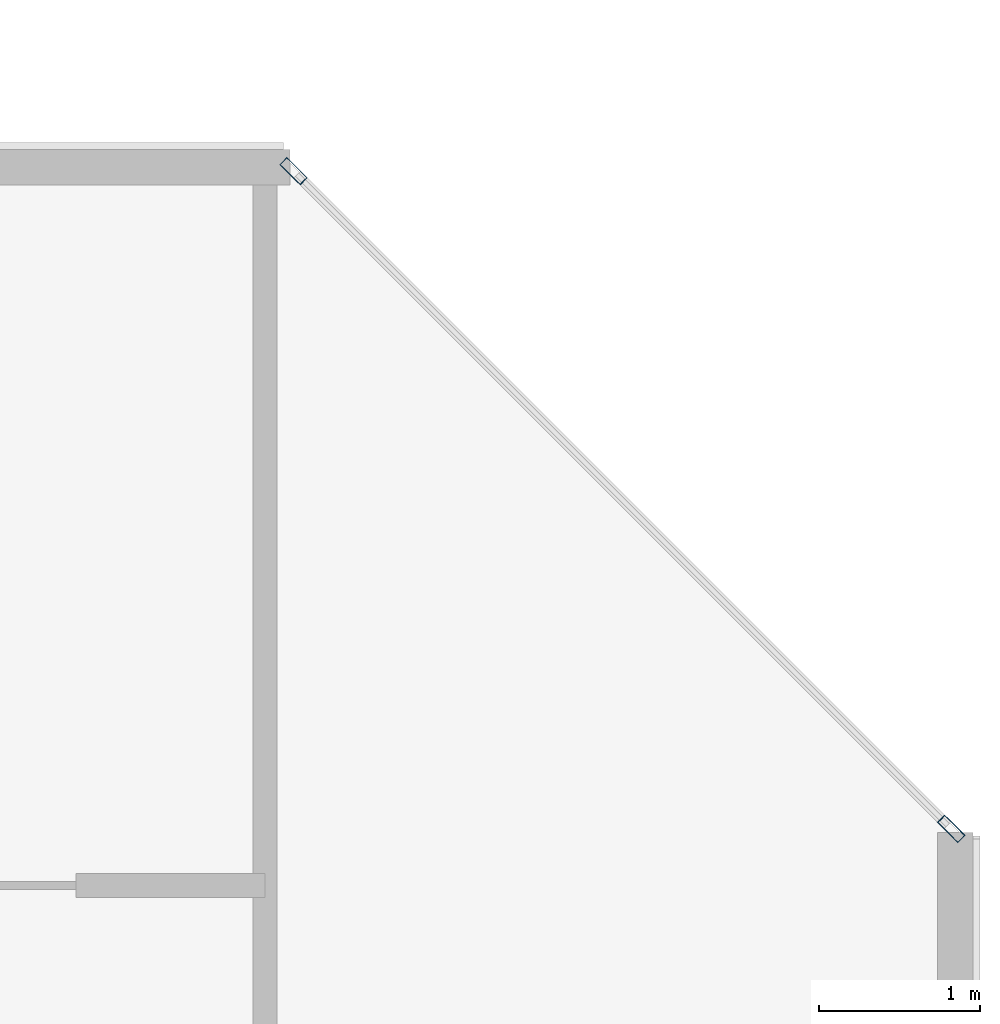
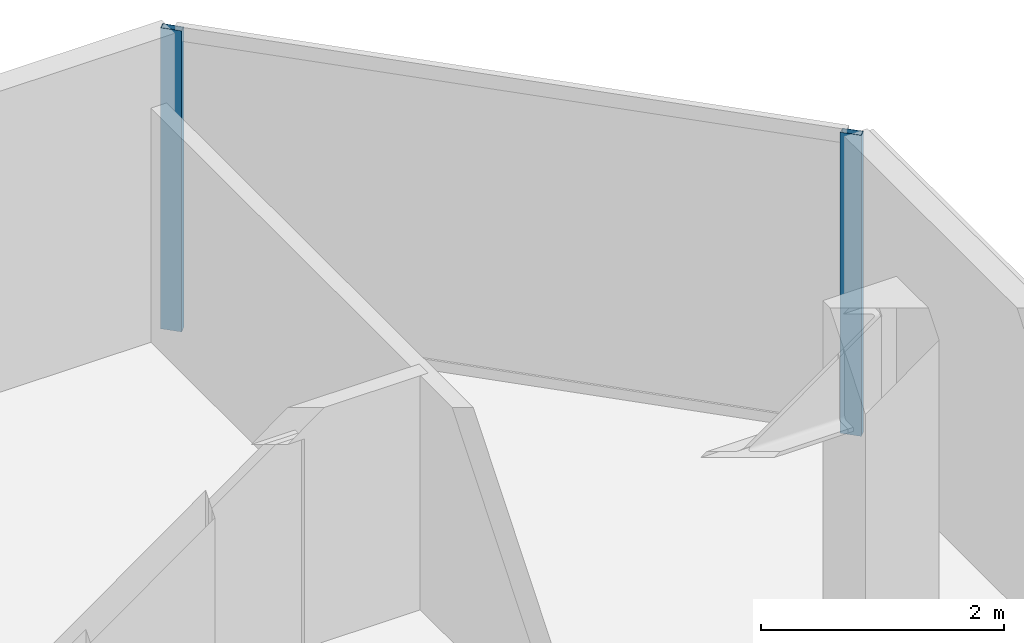
# One storey, part 12 of 24: 2 members, 1 element without a shape of its own.
"""IFC4 building model written with IfcOpenShell, lengths in metres."""

import ifcopenshell
import ifcopenshell.guid

model = None  # the IFC model being written
_history = None  # IfcOwnerHistory: only IFC2X3 demands one
_inside = {}  # id of a spatial element -> (the spatial element, [elements in it])
_under = {}  # id of a project, library or spatial element -> (it, [spatial elements below it])
_declared = {}  # id of a project -> (the project, [libraries it declares])
_typed = {}  # id of a type object -> (the type object, [elements of that type])
_made_of = {}  # id of a material, layer set ... -> (it, [elements and type objects made of it])


def new_model(schema):
    """Start an empty IFC model of exactly this schema.

    Asked for "IFC4X3", IfcOpenShell would pick the latest addendum, in which some entities
    have other attributes; the version numbers below select the first issue.
    IFC2X3 requires an IfcOwnerHistory on every rooted entity: one is made here for all.
    """
    global model, _history
    if schema == "IFC4X3":
        model = ifcopenshell.file(schema_version=(4, 3, 0, 0))
    else:
        model = ifcopenshell.file(schema=schema)
    _inside.clear()
    _under.clear()
    _declared.clear()
    _typed.clear()
    _made_of.clear()
    _history = None
    if model.schema == "IFC2X3":
        org = make("IfcOrganization", Name="unknown")
        user = make(
            "IfcPersonAndOrganization",
            ThePerson=make("IfcPerson", FamilyName="unknown"),
            TheOrganization=org,
        )
        app = make(
            "IfcApplication",
            ApplicationDeveloper=org,
            Version="unknown",
            ApplicationFullName="unknown",
            ApplicationIdentifier="unknown",
        )
        _history = make(
            "IfcOwnerHistory",
            OwningUser=user,
            OwningApplication=app,
            ChangeAction="ADDED",
            CreationDate=0,
        )
    return model


def make(cls, **values):
    """One entity of the class cls with the attributes given. An attribute that is None is left unset."""
    return model.create_entity(
        cls, **{name: value for name, value in values.items() if value is not None}
    )


def rooted(cls, **values):
    """An entity with a GlobalId (a new one), such as an element, a storey or a relation."""
    return make(cls, GlobalId=ifcopenshell.guid.new(), OwnerHistory=_history, **values)


def si_unit(unit_type, name, prefix=None):
    """IfcSIUnit, for example si_unit("LENGTHUNIT", "METRE", prefix="MILLI")."""
    return make("IfcSIUnit", UnitType=unit_type, Prefix=prefix, Name=name)


def assignment(units):
    """IfcUnitAssignment: the units of a project."""
    return None if units is None else make("IfcUnitAssignment", Units=units)


def point(xyz):
    """IfcCartesianPoint."""
    return None if xyz is None else make("IfcCartesianPoint", Coordinates=xyz)


def direction(xyz):
    """IfcDirection."""
    return None if xyz is None else make("IfcDirection", DirectionRatios=xyz)


def frame(location, z_axis=None, x_axis=None):
    """IfcAxis2Placement3D, a coordinate frame: its origin and axes. An axis left out is left unset."""
    return make(
        "IfcAxis2Placement3D",
        Location=point(location),
        Axis=direction(z_axis),
        RefDirection=direction(x_axis),
    )


def frame_2d(location, x_axis=None):
    """IfcAxis2Placement2D, a coordinate frame in the plane: its origin and x axis."""
    return make(
        "IfcAxis2Placement2D", Location=point(location), RefDirection=direction(x_axis)
    )


def origin():
    """The frame at (0, 0, 0) with its axes left unset."""
    return frame((0.0, 0.0, 0.0))


def origin_2d():
    """The frame at (0, 0) in the plane with its x axis left unset."""
    return frame_2d((0.0, 0.0))


def place(relative_to, where):
    """IfcLocalPlacement: puts the frame where relative to a parent placement (None: the world)."""
    return make(
        "IfcLocalPlacement", PlacementRelTo=relative_to, RelativePlacement=where
    )


def context(
    kind, dimensions, precision=None, world=None, true_north=None, identifier=None
):
    """IfcGeometricRepresentationContext, for example the 3D "Model" context."""
    return make(
        "IfcGeometricRepresentationContext",
        ContextIdentifier=identifier,
        ContextType=kind,
        CoordinateSpaceDimension=dimensions,
        Precision=precision,
        WorldCoordinateSystem=world,
        TrueNorth=true_north,
    )


def subcontext(parent, identifier, kind, view, scale=None):
    """IfcGeometricRepresentationSubContext, for example "Body" below "Model"."""
    return make(
        "IfcGeometricRepresentationSubContext",
        ContextIdentifier=identifier,
        ContextType=kind,
        ParentContext=parent,
        TargetScale=scale,
        TargetView=view,
    )


def project(units=None, contexts=None):
    """IfcProject with its units and contexts."""
    return rooted(
        "IfcProject",
        Name="project",
        RepresentationContexts=contexts,
        UnitsInContext=assignment(units),
    )


def spatial(cls, under=None, at=None, **own):
    """A site, building, storey or space (cls), placed at a placement, below another one or the project."""
    s = rooted(cls, ObjectPlacement=at, **own)
    if under is not None:
        _under.setdefault(under.id(), (under, []))[1].append(s)
    return s


def profile(cls, at=None, kind="AREA", **sizes):
    """A parametric profile (cls). Its sizes go by their IFC names, for example OverallWidth=200.0."""
    return make(cls, ProfileType=kind, Position=at, **sizes)


def hollow_rectangle(**sizes):
    """IfcRectangleHollowProfileDef."""
    return profile("IfcRectangleHollowProfileDef", **sizes)


def extrude(swept, where, along, depth):
    """IfcExtrudedAreaSolid: the profile swept, set in the frame where, extruded along a direction by depth."""
    return make(
        "IfcExtrudedAreaSolid",
        SweptArea=swept,
        Position=where,
        ExtrudedDirection=direction(along),
        Depth=depth,
    )


def shape(context_of_items, identifier, shape_type, items):
    """IfcShapeRepresentation: the items that make up one representation, for example the "Body"."""
    return make(
        "IfcShapeRepresentation",
        ContextOfItems=context_of_items,
        RepresentationIdentifier=identifier,
        RepresentationType=shape_type,
        Items=items,
    )


def material(Name=None, Category=None):
    """IfcMaterial."""
    return make("IfcMaterial", Name=Name, Category=Category)


def layer(
    of_material, thickness, ventilated=None, Name=None, Category=None, Priority=None
):
    """IfcMaterialLayer: one layer of a wall or slab, of a material (None: an air gap)."""
    return make(
        "IfcMaterialLayer",
        Material=of_material,
        LayerThickness=thickness,
        IsVentilated=ventilated,
        Name=Name,
        Category=Category,
        Priority=Priority,
    )


def layer_set(layers, Name=None):
    """IfcMaterialLayerSet."""
    return make("IfcMaterialLayerSet", MaterialLayers=layers, LayerSetName=Name)


def material_profile(
    of_material, cross_section, Name=None, Category=None, Priority=None
):
    """IfcMaterialProfile: a cross section and its material."""
    return make(
        "IfcMaterialProfile",
        Name=Name,
        Material=of_material,
        Profile=cross_section,
        Priority=Priority,
        Category=Category,
    )


def profile_set(profiles, Name=None, composite=None):
    """IfcMaterialProfileSet."""
    return make(
        "IfcMaterialProfileSet",
        Name=Name,
        MaterialProfiles=profiles,
        CompositeProfile=composite,
    )


def made_of(thing, what):
    """Note that an element or type object is made of a material, layer set ...; save() writes the relation."""
    if what is not None:
        _made_of.setdefault(what.id(), (what, []))[1].append(thing)
    return thing


def type_object(cls, material=None, **own):
    """A type object (cls), such as IfcWallType, which elements share."""
    return made_of(rooted(cls, **own), material)


def element(
    cls,
    number,
    at=None,
    inside=None,
    cuts=None,
    type_object=None,
    material=None,
    context=None,
    identifier="Body",
    shape_type=None,
    held_by="IfcProductDefinitionShape",
    body=None,
    shapes=None,
    **own,
):
    """One element of the class cls, such as IfcWall. Its Tag is "e" and its number.

    at: its placement. inside: the storey or other place that contains it. cuts: it is an
    opening in that element (IfcRelVoidsElement). A single representation is given by context,
    identifier, shape_type and body (its items); several are given by shapes. held_by: the class
    of the entity that holds the representations. save() writes the other relations.
    """
    e = rooted(cls, Tag="e%d" % number, ObjectPlacement=at, **own)
    if body is not None:
        shapes = [shape(context, identifier, shape_type, body)]
    if shapes is not None:
        e.Representation = make(held_by, Representations=shapes)
    if inside is not None:
        _inside.setdefault(inside.id(), (inside, []))[1].append(e)
    if cuts is not None:
        rooted(
            "IfcRelVoidsElement", RelatingBuildingElement=cuts, RelatedOpeningElement=e
        )
    if type_object is not None:
        _typed.setdefault(type_object.id(), (type_object, []))[1].append(e)
    return made_of(e, material)


def aggregate(whole, parts):
    """IfcRelAggregates: a whole, such as a stair, and the parts it consists of."""
    return rooted("IfcRelAggregates", RelatingObject=whole, RelatedObjects=parts)


def save(model, path):
    """Write the relations noted so far, then the file.

    IfcRelAggregates (storeys below a building ...), IfcRelContainedInSpatialStructure (elements
    in a storey), IfcRelDefinesByType, IfcRelAssociatesMaterial and IfcRelDeclares: one each for
    every whole, place, type object, material and project.
    """
    for whole, parts in _under.values():
        aggregate(whole, parts)
    for where, things in _inside.values():
        rooted(
            "IfcRelContainedInSpatialStructure",
            RelatedElements=things,
            RelatingStructure=where,
        )
    for kind, things in _typed.values():
        rooted("IfcRelDefinesByType", RelatedObjects=things, RelatingType=kind)
    for what, things in _made_of.values():
        rooted("IfcRelAssociatesMaterial", RelatedObjects=things, RelatingMaterial=what)
    for by, libraries in _declared.values():
        rooted("IfcRelDeclares", RelatingContext=by, RelatedDefinitions=libraries)
    model.write(path)


model = new_model("IFC4")

# Units and contexts
model_context = context("Model", 3, precision=1e-05, world=origin(), true_north=direction((0.0, 1.0)))
body_context = subcontext(model_context, "Body", "Model", "MODEL_VIEW")
ifc_project = project(units=[si_unit("LENGTHUNIT", "METRE"), si_unit("AREAUNIT", "SQUARE_METRE"), si_unit("VOLUMEUNIT", "CUBIC_METRE"), si_unit("PLANEANGLEUNIT", "RADIAN"), si_unit("MASSUNIT", "GRAM", prefix="KILO")], contexts=[model_context])

# Site, building, storey
site_placement = place(None, origin())
site = spatial("IfcSite", under=ifc_project, at=site_placement, CompositionType="ELEMENT")
building_placement = place(site_placement, origin())
building = spatial("IfcBuilding", under=site, at=building_placement, Name="Tanjung Sevakor Pilgrim Tower", CompositionType="ELEMENT")
storey_placement = place(building_placement, frame((0.0, 0.0, 226.050048828125)))
storey = spatial("IfcBuildingStorey", under=building, at=storey_placement, Name="L63", CompositionType="ELEMENT", Elevation=226.050048828125)

# Curtain wall, members
ifc_material_1 = material(Name="Aluminium 6063-T6 and Low-E Glass", Category="aluminium")
ifc_layer = layer(ifc_material_1, 0.179931640625)
ifc_layer_set = layer_set([ifc_layer], Name="CW-SYS-CHAM")
curtain_wall_type = type_object("IfcCurtainWallType", Name="CW-SYS-CHAM", PredefinedType="NOTDEFINED", material=ifc_layer_set)
curtain_wall_placement = place(storey_placement, origin())
curtain_wall = element("IfcCurtainWall", 1, at=curtain_wall_placement, inside=storey, type_object=curtain_wall_type, Name="L63 Curtain Wall CW-CHM-L63-MAIN-7", PredefinedType="NOTDEFINED")
ifc_material_2 = material(Name="Aluminium 6063-T6", Category="aluminium")
ifc_material_profile = material_profile(ifc_material_2, hollow_rectangle(XDim=0.06494140625, YDim=0.179931640625, WallThickness=0.00390625, at=origin_2d()))
ifc_profile_set = profile_set([ifc_material_profile], Name="Aluminium 6063-T6")
member_type = type_object("IfcMemberType", Name="TYPE-CWM-1", PredefinedType="MULLION", material=ifc_profile_set)
member_1_placement = place(storey_placement, frame((99.467041015625, 50.927490234375, 0.0), z_axis=(0.0, 0.0, 1.0), x_axis=(-0.707106781187, -0.707106781187, 0.0)))
member_1 = element("IfcMember", 2, at=member_1_placement, type_object=member_type, Name="CW-CHM mullion 1", PredefinedType="MULLION", context=body_context, shape_type="SweptSolid", body=[
    extrude(hollow_rectangle(XDim=0.06494140625, YDim=0.179931640625, WallThickness=0.00390625, at=origin_2d()), origin(), (0.0, 0.0, 1.0), 3.02001953125),
])
member_2_placement = place(storey_placement, frame((95.37744140625, 55.01708984375, 0.0), z_axis=(0.0, 0.0, 1.0), x_axis=(-0.707106781187, -0.707106781187, 0.0)))
member_2 = element("IfcMember", 3, at=member_2_placement, type_object=member_type, Name="CW-CHM mullion 2", PredefinedType="MULLION", context=body_context, shape_type="SweptSolid", body=[
    extrude(hollow_rectangle(XDim=0.06494140625, YDim=0.179931640625, WallThickness=0.00390625, at=origin_2d()), origin(), (0.0, 0.0, 1.0), 3.02001953125),
])
aggregate(curtain_wall, [member_1, member_2])

save(model, "model.ifc")
